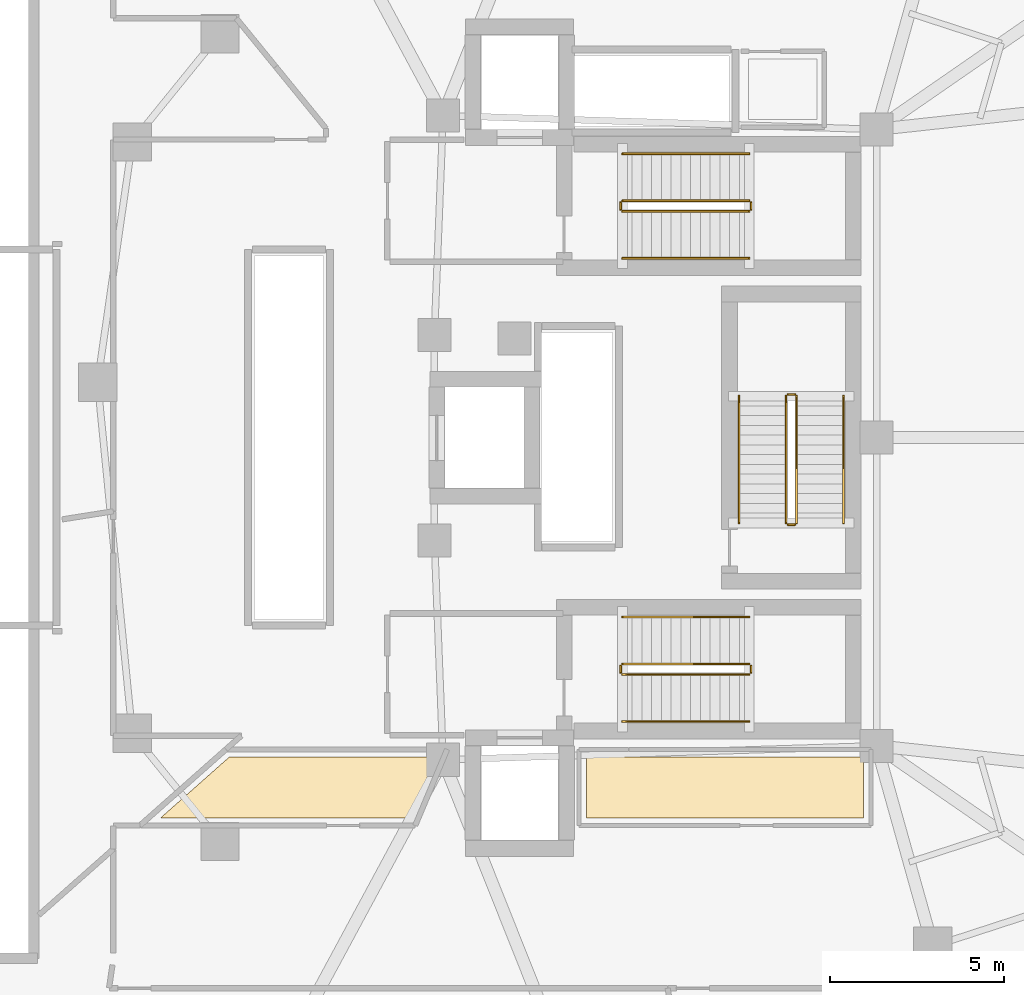
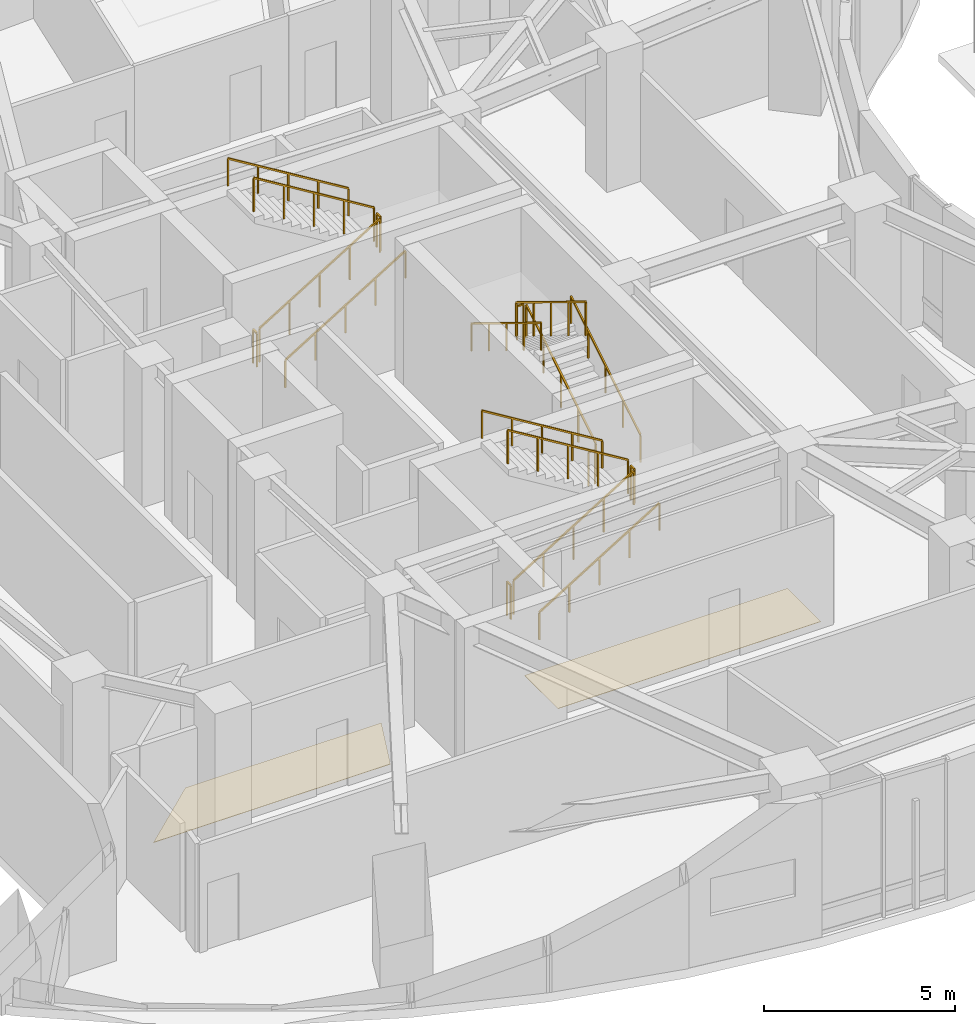
# One storey, part 21 of 24: 18 railings, 2 coverings.
"""IFC4 building model written with IfcOpenShell, lengths in metres."""

from ifc_helpers import new_model, si_unit, direction, frame, origin, origin_2d, place, context, subcontext, project, spatial, polyline, rectangle, outline, extrude, material, layer, layer_set, type_object, element, save


model = new_model("IFC4")

# Units and contexts
model_context = context("Model", 3, precision=1e-05, world=origin(), true_north=direction((0.0, 1.0)))
body_context = subcontext(model_context, "Body", "Model", "MODEL_VIEW")
ifc_project = project(units=[si_unit("LENGTHUNIT", "METRE"), si_unit("AREAUNIT", "SQUARE_METRE"), si_unit("VOLUMEUNIT", "CUBIC_METRE"), si_unit("PLANEANGLEUNIT", "RADIAN"), si_unit("MASSUNIT", "GRAM", prefix="KILO")], contexts=[model_context])

# Site, building, storey
site_placement = place(None, origin())
site = spatial("IfcSite", under=ifc_project, at=site_placement, CompositionType="ELEMENT")
building_placement = place(site_placement, origin())
building = spatial("IfcBuilding", under=site, at=building_placement, Name="Korentha Bioscience Tower", CompositionType="ELEMENT")
storey_placement = place(building_placement, frame((0.0, 0.0, 10.199951171875)))
storey = spatial("IfcBuildingStorey", under=building, at=storey_placement, Name="L02", CompositionType="ELEMENT", Elevation=10.199951171875)

# Railings
ifc_material_1 = material(Name="Stainless Steel 304", Category="steel")
railing_type_1 = type_object("IfcRailingType", Name="Brushed Stainless Stair Handrail 900", PredefinedType="HANDRAIL", material=ifc_material_1)
railing_1_placement = place(storey_placement, frame((30.25, 32.14990234375, 0.17138671875)))
element("IfcRailing", 1, at=railing_1_placement, inside=storey, type_object=railing_type_1, Name="L02 ST-1 stair handrail 1", PredefinedType="HANDRAIL", context=body_context, shape_type="SweptSolid", body=[
    extrude(rectangle(XDim=0.048095703125, YDim=0.048095703125, at=origin_2d()), frame((0.0, 0.0, 0.8759765625), z_axis=(0.852824790078, 0.0, 0.522197163366), x_axis=(0.0, 1.0, 0.0)), (0.0, 0.0, 1.0), 4.26806640625),
    extrude(rectangle(XDim=0.0419921875, YDim=0.0419921875, at=origin_2d()), origin(), (0.0, 0.0, 1.0), 0.851806640625),
    extrude(rectangle(XDim=0.0419921875, YDim=0.0419921875, at=origin_2d()), frame((0.909912109375, 0.0, 0.55712890625)), (0.0, 0.0, 1.0), 0.851806640625),
    extrude(rectangle(XDim=0.0419921875, YDim=0.0419921875, at=origin_2d()), frame((1.81982421875, 0.0, 1.1142578125)), (0.0, 0.0, 1.0), 0.851806640625),
    extrude(rectangle(XDim=0.0419921875, YDim=0.0419921875, at=origin_2d()), frame((2.72998046875, 0.0, 1.671630859375)), (0.0, 0.0, 1.0), 0.851806640625),
    extrude(rectangle(XDim=0.0419921875, YDim=0.0419921875, at=origin_2d()), frame((3.639892578125, 0.0, 2.228759765625)), (0.0, 0.0, 1.0), 0.851806640625),
])
railing_2_placement = place(storey_placement, frame((33.889892578125, 35.14990234375, 2.571533203125)))
element("IfcRailing", 2, at=railing_2_placement, inside=storey, type_object=railing_type_1, Name="L02 ST-1 stair handrail 2", PredefinedType="HANDRAIL", context=body_context, shape_type="SweptSolid", body=[
    extrude(rectangle(XDim=0.048095703125, YDim=0.048095703125, at=origin_2d()), frame((0.0, 0.0, 0.8759765625), z_axis=(-0.852850264322, 0.0, 0.5221555579), x_axis=(0.0, -1.0, 0.0)), (0.0, 0.0, 1.0), 4.267822265625),
    extrude(rectangle(XDim=0.0419921875, YDim=0.0419921875, at=origin_2d()), origin(), (0.0, 0.0, 1.0), 0.851806640625),
    extrude(rectangle(XDim=0.0419921875, YDim=0.0419921875, at=origin_2d()), frame((-0.909912109375, 0.0, 0.55712890625)), (0.0, 0.0, 1.0), 0.851806640625),
    extrude(rectangle(XDim=0.0419921875, YDim=0.0419921875, at=origin_2d()), frame((-1.81982421875, 0.0, 1.1142578125)), (0.0, 0.0, 1.0), 0.851806640625),
    extrude(rectangle(XDim=0.0419921875, YDim=0.0419921875, at=origin_2d()), frame((-2.72998046875, 0.0, 1.67138671875)), (0.0, 0.0, 1.0), 0.851806640625),
    extrude(rectangle(XDim=0.0419921875, YDim=0.0419921875, at=origin_2d()), frame((-3.639892578125, 0.0, 2.228515625)), (0.0, 0.0, 1.0), 0.851806640625),
])
railing_3_placement = place(storey_placement, frame((30.25, 18.85009765625, 0.17138671875)))
element("IfcRailing", 3, at=railing_3_placement, inside=storey, type_object=railing_type_1, Name="L02 ST-2 stair handrail 1", PredefinedType="HANDRAIL", context=body_context, shape_type="SweptSolid", body=[
    extrude(rectangle(XDim=0.048095703125, YDim=0.048095703125, at=origin_2d()), frame((0.0, 0.0, 0.8759765625), z_axis=(0.852824790078, 0.0, 0.522197163366), x_axis=(0.0, 1.0, 0.0)), (0.0, 0.0, 1.0), 4.26806640625),
    extrude(rectangle(XDim=0.0419921875, YDim=0.0419921875, at=origin_2d()), origin(), (0.0, 0.0, 1.0), 0.851806640625),
    extrude(rectangle(XDim=0.0419921875, YDim=0.0419921875, at=origin_2d()), frame((0.909912109375, 0.0, 0.55712890625)), (0.0, 0.0, 1.0), 0.851806640625),
    extrude(rectangle(XDim=0.0419921875, YDim=0.0419921875, at=origin_2d()), frame((1.81982421875, 0.0, 1.1142578125)), (0.0, 0.0, 1.0), 0.851806640625),
    extrude(rectangle(XDim=0.0419921875, YDim=0.0419921875, at=origin_2d()), frame((2.72998046875, 0.0, 1.671630859375)), (0.0, 0.0, 1.0), 0.851806640625),
    extrude(rectangle(XDim=0.0419921875, YDim=0.0419921875, at=origin_2d()), frame((3.639892578125, 0.0, 2.228759765625)), (0.0, 0.0, 1.0), 0.851806640625),
])
railing_4_placement = place(storey_placement, frame((33.889892578125, 21.85009765625, 2.571533203125)))
element("IfcRailing", 4, at=railing_4_placement, inside=storey, type_object=railing_type_1, Name="L02 ST-2 stair handrail 2", PredefinedType="HANDRAIL", context=body_context, shape_type="SweptSolid", body=[
    extrude(rectangle(XDim=0.048095703125, YDim=0.048095703125, at=origin_2d()), frame((0.0, 0.0, 0.8759765625), z_axis=(-0.852850264322, 0.0, 0.5221555579), x_axis=(0.0, -1.0, 0.0)), (0.0, 0.0, 1.0), 4.267822265625),
    extrude(rectangle(XDim=0.0419921875, YDim=0.0419921875, at=origin_2d()), origin(), (0.0, 0.0, 1.0), 0.851806640625),
    extrude(rectangle(XDim=0.0419921875, YDim=0.0419921875, at=origin_2d()), frame((-0.909912109375, 0.0, 0.55712890625)), (0.0, 0.0, 1.0), 0.851806640625),
    extrude(rectangle(XDim=0.0419921875, YDim=0.0419921875, at=origin_2d()), frame((-1.81982421875, 0.0, 1.1142578125)), (0.0, 0.0, 1.0), 0.851806640625),
    extrude(rectangle(XDim=0.0419921875, YDim=0.0419921875, at=origin_2d()), frame((-2.72998046875, 0.0, 1.67138671875)), (0.0, 0.0, 1.0), 0.851806640625),
    extrude(rectangle(XDim=0.0419921875, YDim=0.0419921875, at=origin_2d()), frame((-3.639892578125, 0.0, 2.228515625)), (0.0, 0.0, 1.0), 0.851806640625),
])
railing_5_placement = place(storey_placement, frame((36.60009765625, 24.550048828125, 0.17138671875)))
element("IfcRailing", 5, at=railing_5_placement, inside=storey, type_object=railing_type_1, Name="L02 ST-3 stair handrail 1", PredefinedType="HANDRAIL", context=body_context, shape_type="SweptSolid", body=[
    extrude(rectangle(XDim=0.048095703125, YDim=0.048095703125, at=origin_2d()), frame((0.0, 0.0, 0.8759765625), z_axis=(0.0, 0.852824790078, 0.522197163366), x_axis=(-1.0, 0.0, 0.0)), (0.0, 0.0, 1.0), 4.26806640625),
    extrude(rectangle(XDim=0.0419921875, YDim=0.0419921875, at=origin_2d()), origin(), (0.0, 0.0, 1.0), 0.851806640625),
    extrude(rectangle(XDim=0.0419921875, YDim=0.0419921875, at=origin_2d()), frame((0.0, 0.909912109375, 0.55712890625)), (0.0, 0.0, 1.0), 0.851806640625),
    extrude(rectangle(XDim=0.0419921875, YDim=0.0419921875, at=origin_2d()), frame((0.0, 1.81982421875, 1.1142578125)), (0.0, 0.0, 1.0), 0.851806640625),
    extrude(rectangle(XDim=0.0419921875, YDim=0.0419921875, at=origin_2d()), frame((0.0, 2.72998046875, 1.671630859375)), (0.0, 0.0, 1.0), 0.851806640625),
    extrude(rectangle(XDim=0.0419921875, YDim=0.0419921875, at=origin_2d()), frame((0.0, 3.639892578125, 2.228759765625)), (0.0, 0.0, 1.0), 0.851806640625),
])
railing_6_placement = place(storey_placement, frame((33.60009765625, 28.18994140625, 2.571533203125)))
element("IfcRailing", 6, at=railing_6_placement, inside=storey, type_object=railing_type_1, Name="L02 ST-3 stair handrail 2", PredefinedType="HANDRAIL", context=body_context, shape_type="SweptSolid", body=[
    extrude(rectangle(XDim=0.048095703125, YDim=0.048095703125, at=origin_2d()), frame((0.0, 0.0, 0.8759765625), z_axis=(0.0, -0.852850264322, 0.5221555579), x_axis=(1.0, 0.0, 0.0)), (0.0, 0.0, 1.0), 4.267822265625),
    extrude(rectangle(XDim=0.0419921875, YDim=0.0419921875, at=origin_2d()), origin(), (0.0, 0.0, 1.0), 0.851806640625),
    extrude(rectangle(XDim=0.0419921875, YDim=0.0419921875, at=origin_2d()), frame((0.0, -0.909912109375, 0.55712890625)), (0.0, 0.0, 1.0), 0.851806640625),
    extrude(rectangle(XDim=0.0419921875, YDim=0.0419921875, at=origin_2d()), frame((0.0, -1.81982421875, 1.1142578125)), (0.0, 0.0, 1.0), 0.851806640625),
    extrude(rectangle(XDim=0.0419921875, YDim=0.0419921875, at=origin_2d()), frame((0.0, -2.72998046875, 1.67138671875)), (0.0, 0.0, 1.0), 0.851806640625),
    extrude(rectangle(XDim=0.0419921875, YDim=0.0419921875, at=origin_2d()), frame((0.0, -3.639892578125, 2.228515625)), (0.0, 0.0, 1.0), 0.851806640625),
])
ifc_material_2 = material(Name="Painted Steel S275", Category="steel")
railing_type_2 = type_object("IfcRailingType", Name="Painted Steel Stair Well Guardrail 1100", PredefinedType="GUARDRAIL", material=ifc_material_2)
railing_7_placement = place(storey_placement, frame((30.25, 33.5, 0.17138671875)))
element("IfcRailing", 7, at=railing_7_placement, inside=storey, type_object=railing_type_2, Name="L02 ST-1 stair guard 1", PredefinedType="GUARDRAIL", context=body_context, shape_type="SweptSolid", body=[
    extrude(rectangle(XDim=0.048095703125, YDim=0.048095703125, at=origin_2d()), frame((0.0, 0.0, 1.076171875), z_axis=(0.852824790078, 0.0, 0.522197163366), x_axis=(0.0, 1.0, 0.0)), (0.0, 0.0, 1.0), 4.26806640625),
    extrude(rectangle(XDim=0.0419921875, YDim=0.0419921875, at=origin_2d()), origin(), (0.0, 0.0, 1.0), 1.052001953125),
    extrude(rectangle(XDim=0.0419921875, YDim=0.0419921875, at=origin_2d()), frame((0.909912109375, 0.0, 0.55712890625)), (0.0, 0.0, 1.0), 1.052001953125),
    extrude(rectangle(XDim=0.0419921875, YDim=0.0419921875, at=origin_2d()), frame((1.81982421875, 0.0, 1.1142578125)), (0.0, 0.0, 1.0), 1.052001953125),
    extrude(rectangle(XDim=0.0419921875, YDim=0.0419921875, at=origin_2d()), frame((2.72998046875, 0.0, 1.671630859375)), (0.0, 0.0, 1.0), 1.052001953125),
    extrude(rectangle(XDim=0.0419921875, YDim=0.0419921875, at=origin_2d()), frame((3.639892578125, 0.0, 2.228759765625)), (0.0, 0.0, 1.0), 1.052001953125),
])
railing_8_placement = place(storey_placement, frame((33.93994140625, 33.550048828125, 2.400146484375)))
element("IfcRailing", 8, at=railing_8_placement, inside=storey, type_object=railing_type_2, Name="L02 ST-1 stair guard 2", PredefinedType="GUARDRAIL", context=body_context, shape_type="SweptSolid", body=[
    extrude(rectangle(XDim=0.048095703125, YDim=0.048095703125, at=origin_2d()), frame((0.0, 0.0, 1.076171875), z_axis=(0.0, 1.0, 0.0), x_axis=(-1.0, 0.0, 0.0)), (0.0, 0.0, 1.0), 0.199951171875),
    extrude(rectangle(XDim=0.0419921875, YDim=0.0419921875, at=origin_2d()), origin(), (0.0, 0.0, 1.0), 1.052001953125),
    extrude(rectangle(XDim=0.0419921875, YDim=0.0419921875, at=origin_2d()), frame((0.0, 0.199951171875, 0.0)), (0.0, 0.0, 1.0), 1.052001953125),
])
railing_9_placement = place(storey_placement, frame((33.889892578125, 33.800048828125, 2.571533203125)))
element("IfcRailing", 9, at=railing_9_placement, inside=storey, type_object=railing_type_2, Name="L02 ST-1 stair guard 3", PredefinedType="GUARDRAIL", context=body_context, shape_type="SweptSolid", body=[
    extrude(rectangle(XDim=0.048095703125, YDim=0.048095703125, at=origin_2d()), frame((0.0, 0.0, 1.076171875), z_axis=(-0.852850264322, 0.0, 0.5221555579), x_axis=(0.0, -1.0, 0.0)), (0.0, 0.0, 1.0), 4.267822265625),
    extrude(rectangle(XDim=0.0419921875, YDim=0.0419921875, at=origin_2d()), origin(), (0.0, 0.0, 1.0), 1.052001953125),
    extrude(rectangle(XDim=0.0419921875, YDim=0.0419921875, at=origin_2d()), frame((-0.909912109375, 0.0, 0.55712890625)), (0.0, 0.0, 1.0), 1.052001953125),
    extrude(rectangle(XDim=0.0419921875, YDim=0.0419921875, at=origin_2d()), frame((-1.81982421875, 0.0, 1.1142578125)), (0.0, 0.0, 1.0), 1.052001953125),
    extrude(rectangle(XDim=0.0419921875, YDim=0.0419921875, at=origin_2d()), frame((-2.72998046875, 0.0, 1.67138671875)), (0.0, 0.0, 1.0), 1.052001953125),
    extrude(rectangle(XDim=0.0419921875, YDim=0.0419921875, at=origin_2d()), frame((-3.639892578125, 0.0, 2.228515625)), (0.0, 0.0, 1.0), 1.052001953125),
])
railing_10_placement = place(storey_placement, frame((30.199951171875, 33.550048828125, 0.0)))
element("IfcRailing", 10, at=railing_10_placement, inside=storey, type_object=railing_type_2, Name="L02 ST-1 stair guard 4", PredefinedType="GUARDRAIL", context=body_context, shape_type="SweptSolid", body=[
    extrude(rectangle(XDim=0.048095703125, YDim=0.048095703125, at=origin_2d()), frame((0.0, 0.0, 1.076171875), z_axis=(0.0, 1.0, 0.0), x_axis=(-1.0, 0.0, 0.0)), (0.0, 0.0, 1.0), 0.199951171875),
    extrude(rectangle(XDim=0.0419921875, YDim=0.0419921875, at=origin_2d()), origin(), (0.0, 0.0, 1.0), 1.052001953125),
    extrude(rectangle(XDim=0.0419921875, YDim=0.0419921875, at=origin_2d()), frame((0.0, 0.199951171875, 0.0)), (0.0, 0.0, 1.0), 1.052001953125),
])
railing_11_placement = place(storey_placement, frame((30.25, 20.199951171875, 0.17138671875)))
element("IfcRailing", 11, at=railing_11_placement, inside=storey, type_object=railing_type_2, Name="L02 ST-2 stair guard 1", PredefinedType="GUARDRAIL", context=body_context, shape_type="SweptSolid", body=[
    extrude(rectangle(XDim=0.048095703125, YDim=0.048095703125, at=origin_2d()), frame((0.0, 0.0, 1.076171875), z_axis=(0.852824790078, 0.0, 0.522197163366), x_axis=(0.0, 1.0, 0.0)), (0.0, 0.0, 1.0), 4.26806640625),
    extrude(rectangle(XDim=0.0419921875, YDim=0.0419921875, at=origin_2d()), origin(), (0.0, 0.0, 1.0), 1.052001953125),
    extrude(rectangle(XDim=0.0419921875, YDim=0.0419921875, at=origin_2d()), frame((0.909912109375, 0.0, 0.55712890625)), (0.0, 0.0, 1.0), 1.052001953125),
    extrude(rectangle(XDim=0.0419921875, YDim=0.0419921875, at=origin_2d()), frame((1.81982421875, 0.0, 1.1142578125)), (0.0, 0.0, 1.0), 1.052001953125),
    extrude(rectangle(XDim=0.0419921875, YDim=0.0419921875, at=origin_2d()), frame((2.72998046875, 0.0, 1.671630859375)), (0.0, 0.0, 1.0), 1.052001953125),
    extrude(rectangle(XDim=0.0419921875, YDim=0.0419921875, at=origin_2d()), frame((3.639892578125, 0.0, 2.228759765625)), (0.0, 0.0, 1.0), 1.052001953125),
])
railing_12_placement = place(storey_placement, frame((33.93994140625, 20.25, 2.400146484375)))
element("IfcRailing", 12, at=railing_12_placement, inside=storey, type_object=railing_type_2, Name="L02 ST-2 stair guard 2", PredefinedType="GUARDRAIL", context=body_context, shape_type="SweptSolid", body=[
    extrude(rectangle(XDim=0.048095703125, YDim=0.048095703125, at=origin_2d()), frame((0.0, 0.0, 1.076171875), z_axis=(0.0, 1.0, 0.0), x_axis=(-1.0, 0.0, 0.0)), (0.0, 0.0, 1.0), 0.199951171875),
    extrude(rectangle(XDim=0.0419921875, YDim=0.0419921875, at=origin_2d()), origin(), (0.0, 0.0, 1.0), 1.052001953125),
    extrude(rectangle(XDim=0.0419921875, YDim=0.0419921875, at=origin_2d()), frame((0.0, 0.199951171875, 0.0)), (0.0, 0.0, 1.0), 1.052001953125),
])
railing_13_placement = place(storey_placement, frame((33.889892578125, 20.5, 2.571533203125)))
element("IfcRailing", 13, at=railing_13_placement, inside=storey, type_object=railing_type_2, Name="L02 ST-2 stair guard 3", PredefinedType="GUARDRAIL", context=body_context, shape_type="SweptSolid", body=[
    extrude(rectangle(XDim=0.048095703125, YDim=0.048095703125, at=origin_2d()), frame((0.0, 0.0, 1.076171875), z_axis=(-0.852850264322, 0.0, 0.5221555579), x_axis=(0.0, -1.0, 0.0)), (0.0, 0.0, 1.0), 4.267822265625),
    extrude(rectangle(XDim=0.0419921875, YDim=0.0419921875, at=origin_2d()), origin(), (0.0, 0.0, 1.0), 1.052001953125),
    extrude(rectangle(XDim=0.0419921875, YDim=0.0419921875, at=origin_2d()), frame((-0.909912109375, 0.0, 0.55712890625)), (0.0, 0.0, 1.0), 1.052001953125),
    extrude(rectangle(XDim=0.0419921875, YDim=0.0419921875, at=origin_2d()), frame((-1.81982421875, 0.0, 1.1142578125)), (0.0, 0.0, 1.0), 1.052001953125),
    extrude(rectangle(XDim=0.0419921875, YDim=0.0419921875, at=origin_2d()), frame((-2.72998046875, 0.0, 1.67138671875)), (0.0, 0.0, 1.0), 1.052001953125),
    extrude(rectangle(XDim=0.0419921875, YDim=0.0419921875, at=origin_2d()), frame((-3.639892578125, 0.0, 2.228515625)), (0.0, 0.0, 1.0), 1.052001953125),
])
railing_14_placement = place(storey_placement, frame((30.199951171875, 20.25, 0.0)))
element("IfcRailing", 14, at=railing_14_placement, inside=storey, type_object=railing_type_2, Name="L02 ST-2 stair guard 4", PredefinedType="GUARDRAIL", context=body_context, shape_type="SweptSolid", body=[
    extrude(rectangle(XDim=0.048095703125, YDim=0.048095703125, at=origin_2d()), frame((0.0, 0.0, 1.076171875), z_axis=(0.0, 1.0, 0.0), x_axis=(-1.0, 0.0, 0.0)), (0.0, 0.0, 1.0), 0.199951171875),
    extrude(rectangle(XDim=0.0419921875, YDim=0.0419921875, at=origin_2d()), origin(), (0.0, 0.0, 1.0), 1.052001953125),
    extrude(rectangle(XDim=0.0419921875, YDim=0.0419921875, at=origin_2d()), frame((0.0, 0.199951171875, 0.0)), (0.0, 0.0, 1.0), 1.052001953125),
])
railing_15_placement = place(storey_placement, frame((35.25, 24.550048828125, 0.17138671875)))
element("IfcRailing", 15, at=railing_15_placement, inside=storey, type_object=railing_type_2, Name="L02 ST-3 stair guard 1", PredefinedType="GUARDRAIL", context=body_context, shape_type="SweptSolid", body=[
    extrude(rectangle(XDim=0.048095703125, YDim=0.048095703125, at=origin_2d()), frame((0.0, 0.0, 1.076171875), z_axis=(0.0, 0.852824790078, 0.522197163366), x_axis=(-1.0, 0.0, 0.0)), (0.0, 0.0, 1.0), 4.26806640625),
    extrude(rectangle(XDim=0.0419921875, YDim=0.0419921875, at=origin_2d()), origin(), (0.0, 0.0, 1.0), 1.052001953125),
    extrude(rectangle(XDim=0.0419921875, YDim=0.0419921875, at=origin_2d()), frame((0.0, 0.909912109375, 0.55712890625)), (0.0, 0.0, 1.0), 1.052001953125),
    extrude(rectangle(XDim=0.0419921875, YDim=0.0419921875, at=origin_2d()), frame((0.0, 1.81982421875, 1.1142578125)), (0.0, 0.0, 1.0), 1.052001953125),
    extrude(rectangle(XDim=0.0419921875, YDim=0.0419921875, at=origin_2d()), frame((0.0, 2.72998046875, 1.671630859375)), (0.0, 0.0, 1.0), 1.052001953125),
    extrude(rectangle(XDim=0.0419921875, YDim=0.0419921875, at=origin_2d()), frame((0.0, 3.639892578125, 2.228759765625)), (0.0, 0.0, 1.0), 1.052001953125),
])
railing_16_placement = place(storey_placement, frame((35.199951171875, 28.239990234375, 2.400146484375)))
element("IfcRailing", 16, at=railing_16_placement, inside=storey, type_object=railing_type_2, Name="L02 ST-3 stair guard 2", PredefinedType="GUARDRAIL", context=body_context, shape_type="SweptSolid", body=[
    extrude(rectangle(XDim=0.048095703125, YDim=0.048095703125, at=origin_2d()), frame((0.0, 0.0, 1.076171875), z_axis=(-1.0, 0.0, 0.0), x_axis=(0.0, -1.0, 0.0)), (0.0, 0.0, 1.0), 0.199951171875),
    extrude(rectangle(XDim=0.0419921875, YDim=0.0419921875, at=origin_2d()), origin(), (0.0, 0.0, 1.0), 1.052001953125),
    extrude(rectangle(XDim=0.0419921875, YDim=0.0419921875, at=origin_2d()), frame((-0.199951171875, 0.0, 0.0)), (0.0, 0.0, 1.0), 1.052001953125),
])
railing_17_placement = place(storey_placement, frame((34.949951171875, 28.18994140625, 2.571533203125)))
element("IfcRailing", 17, at=railing_17_placement, inside=storey, type_object=railing_type_2, Name="L02 ST-3 stair guard 3", PredefinedType="GUARDRAIL", context=body_context, shape_type="SweptSolid", body=[
    extrude(rectangle(XDim=0.048095703125, YDim=0.048095703125, at=origin_2d()), frame((0.0, 0.0, 1.076171875), z_axis=(0.0, -0.852850264322, 0.5221555579), x_axis=(1.0, 0.0, 0.0)), (0.0, 0.0, 1.0), 4.267822265625),
    extrude(rectangle(XDim=0.0419921875, YDim=0.0419921875, at=origin_2d()), origin(), (0.0, 0.0, 1.0), 1.052001953125),
    extrude(rectangle(XDim=0.0419921875, YDim=0.0419921875, at=origin_2d()), frame((0.0, -0.909912109375, 0.55712890625)), (0.0, 0.0, 1.0), 1.052001953125),
    extrude(rectangle(XDim=0.0419921875, YDim=0.0419921875, at=origin_2d()), frame((0.0, -1.81982421875, 1.1142578125)), (0.0, 0.0, 1.0), 1.052001953125),
    extrude(rectangle(XDim=0.0419921875, YDim=0.0419921875, at=origin_2d()), frame((0.0, -2.72998046875, 1.67138671875)), (0.0, 0.0, 1.0), 1.052001953125),
    extrude(rectangle(XDim=0.0419921875, YDim=0.0419921875, at=origin_2d()), frame((0.0, -3.639892578125, 2.228515625)), (0.0, 0.0, 1.0), 1.052001953125),
])
railing_18_placement = place(storey_placement, frame((35.199951171875, 24.5, 0.0)))
element("IfcRailing", 18, at=railing_18_placement, inside=storey, type_object=railing_type_2, Name="L02 ST-3 stair guard 4", PredefinedType="GUARDRAIL", context=body_context, shape_type="SweptSolid", body=[
    extrude(rectangle(XDim=0.048095703125, YDim=0.048095703125, at=origin_2d()), frame((0.0, 0.0, 1.076171875), z_axis=(-1.0, 0.0, 0.0), x_axis=(0.0, -1.0, 0.0)), (0.0, 0.0, 1.0), 0.199951171875),
    extrude(rectangle(XDim=0.0419921875, YDim=0.0419921875, at=origin_2d()), origin(), (0.0, 0.0, 1.0), 1.052001953125),
    extrude(rectangle(XDim=0.0419921875, YDim=0.0419921875, at=origin_2d()), frame((-0.199951171875, 0.0, 0.0)), (0.0, 0.0, 1.0), 1.052001953125),
])

# Coverings
ifc_material_3 = material(Name="Chemical-Resistant Epoxy Resin", Category="polymer")
ifc_layer = layer(ifc_material_3, 0.011962890625, Name="Chemical-Resistant Epoxy Resin")
ifc_layer_set = layer_set([ifc_layer], Name="Chemical-Resistant Epoxy Resin (FL-EPX)")
covering_type = type_object("IfcCoveringType", Name="Seamless Epoxy Laboratory Flooring 12", PredefinedType="FLOORING", material=ifc_layer_set)
covering_1_placement = place(storey_placement, origin())
element("IfcCovering", 19, at=covering_1_placement, inside=storey, type_object=covering_type, Name="L02 Academic Poster Exhibition Lounge 02 Floor Finish", PredefinedType="FLOORING", context=body_context, shape_type="SweptSolid", body=[
    extrude(outline(polyline([(24.885498046875, 17.827880859375), (24.152099609375, 16.080078125), (16.987060546875, 16.080078125), (18.960693359375, 17.827880859375), (24.885498046875, 17.827880859375)])), origin(), (0.0, 0.0, 1.0), 0.011962890625),
])
covering_2_placement = place(storey_placement, origin())
element("IfcCovering", 20, at=covering_2_placement, inside=storey, type_object=covering_type, Name="L02 Visiting Scholars' Seminar Suite 04 Floor Finish", PredefinedType="FLOORING", context=body_context, shape_type="SweptSolid", body=[
    extrude(outline(polyline([(29.219970703125, 17.827880859375), (37.169921875, 17.827880859375), (37.169921875, 16.080078125), (29.219970703125, 16.080078125), (29.219970703125, 17.827880859375)])), origin(), (0.0, 0.0, 1.0), 0.011962890625),
])

save(model, "model.ifc")
